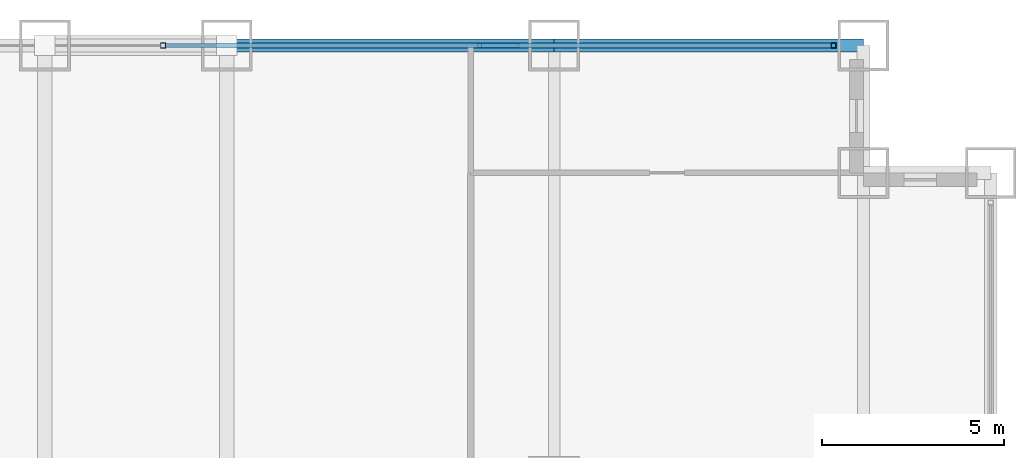
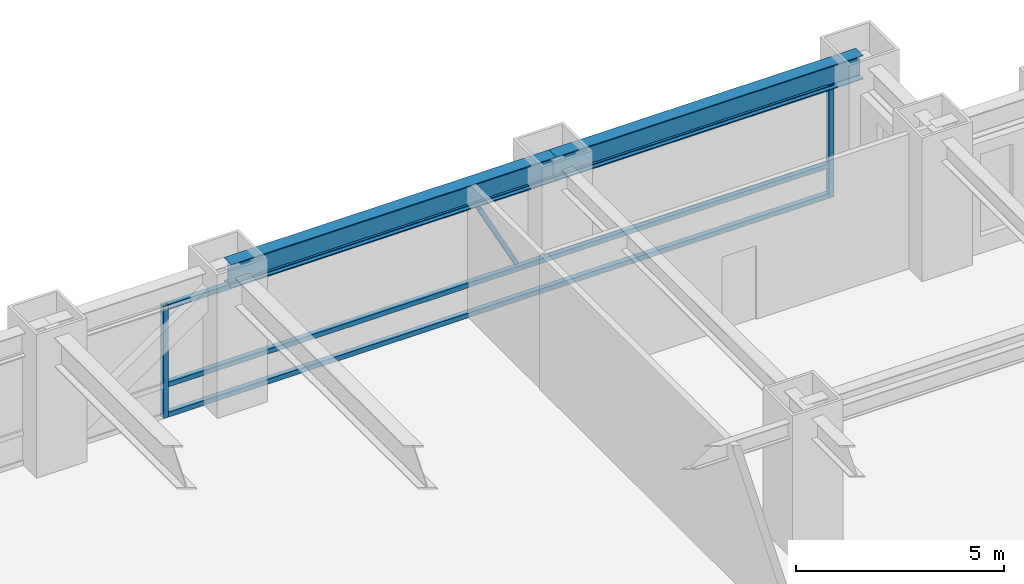
# One storey, part 21 of 28: 6 members, 2 beams, 1 element without a shape of its own.
"""IFC4 building model written with IfcOpenShell, lengths in metres."""

from ifc_helpers import new_model, si_unit, direction, frame, origin, origin_2d, place, context, subcontext, project, spatial, hollow_rectangle, i_section, extrude, source, transform, mapped, material, material_profile, profile_set, type_object, element, aggregate, save


model = new_model("IFC4")

# Units and contexts
model_context = context("Model", 3, precision=1e-05, world=origin(), true_north=direction((0.0, 1.0)))
body_context = subcontext(model_context, "Body", "Model", "MODEL_VIEW")
ifc_project = project(units=[si_unit("LENGTHUNIT", "METRE"), si_unit("AREAUNIT", "SQUARE_METRE"), si_unit("VOLUMEUNIT", "CUBIC_METRE"), si_unit("PLANEANGLEUNIT", "RADIAN"), si_unit("MASSUNIT", "GRAM", prefix="KILO")], contexts=[model_context])

# Site, building, storey
site_placement = place(None, origin())
site = spatial("IfcSite", under=ifc_project, at=site_placement, CompositionType="ELEMENT")
building_placement = place(site_placement, origin())
building = spatial("IfcBuilding", under=site, at=building_placement, Name="Khorayat Bourse Tower", CompositionType="ELEMENT")
storey_placement = place(building_placement, frame((0.0, 0.0, 66.199951171875)))
storey = spatial("IfcBuildingStorey", under=building, at=storey_placement, Name="L14", CompositionType="ELEMENT", Elevation=66.199951171875)

# Beams
ifc_material_1 = material(Name="Steel ASTM A992 Grade 50", Category="steel")
ifc_material_profile_1 = material_profile(ifc_material_1, i_section(OverallWidth=0.35498046875, OverallDepth=0.695068359375, WebThickness=0.015380859375, FlangeThickness=0.02490234375, FilletRadius=0.01806640625, at=origin_2d()), Name="W690X217")
ifc_profile_set_1 = profile_set([ifc_material_profile_1], Name="Steel ASTM A992 Grade 50")
beam_type = type_object("IfcBeamType", Name="BM-SPAN-690", PredefinedType="SPANDREL", material=ifc_profile_set_1)
shared_shape_1 = source(origin(), body_context, "Body", "SweptSolid", [
    extrude(i_section(OverallWidth=0.35498046875, OverallDepth=0.695068359375, WebThickness=0.015380859375, FlangeThickness=0.02490234375, FilletRadius=0.01806640625, at=origin_2d()), origin(), (0.0, 0.0, 1.0), 8.5),
])
beam_1_placement = place(storey_placement, frame((20.0, 32.0, 3.592529296875), z_axis=(1.0, 0.0, 0.0), x_axis=(0.0, 1.0, 0.0)))
element("IfcBeam", 1, at=beam_1_placement, inside=storey, type_object=beam_type, Name="L14 BM-SPAN-690 BM-L14-SPN-044", PredefinedType="SPANDREL", context=body_context, shape_type="MappedRepresentation", body=[
    mapped(shared_shape_1, transform((0.0, 0.0, 0.0), scale=1.0)),
])
shared_shape_2 = source(origin(), body_context, "Body", "SweptSolid", [
    extrude(i_section(OverallWidth=0.35498046875, OverallDepth=0.695068359375, WebThickness=0.015380859375, FlangeThickness=0.02490234375, FilletRadius=0.01806640625, at=origin_2d()), origin(), (0.0, 0.0, 1.0), 9.0),
])
beam_2_placement = place(storey_placement, frame((11.0, 32.0, 3.592529296875), z_axis=(1.0, 0.0, 0.0), x_axis=(0.0, 1.0, 0.0)))
element("IfcBeam", 2, at=beam_2_placement, inside=storey, type_object=beam_type, Name="L14 BM-SPAN-690 BM-L14-SPN-045", PredefinedType="SPANDREL", context=body_context, shape_type="MappedRepresentation", body=[
    mapped(shared_shape_2, transform((0.0, 0.0, 0.0), scale=1.0)),
])

# Curtain wall, members
ifc_material_2 = material(Name="Aluminium EN AW-6063 T6", Category="aluminium")
curtain_wall_type = type_object("IfcCurtainWallType", Name="CW-SYS-02", PredefinedType="NOTDEFINED", material=ifc_material_2)
curtain_wall_placement = place(storey_placement, origin())
curtain_wall = element("IfcCurtainWall", 3, at=curtain_wall_placement, inside=storey, type_object=curtain_wall_type, Name="L14 Curtain Wall CW-L14-N1", PredefinedType="NOTDEFINED")
ifc_material_profile_2 = material_profile(ifc_material_2, hollow_rectangle(XDim=0.139892578125, YDim=0.139892578125, WallThickness=0.006103515625, at=origin_2d()), Name="ALU 140x140x6")
ifc_profile_set_2 = profile_set([ifc_material_profile_2], Name="Aluminium EN AW-6063 T6")
member_type_1 = type_object("IfcMemberType", Name="CWT-HORZ-140", PredefinedType="USERDEFINED", material=ifc_profile_set_2)
shared_shape_3 = source(origin(), body_context, "Body", "SweptSolid", [
    extrude(hollow_rectangle(XDim=0.139892578125, YDim=0.139892578125, WallThickness=0.006103515625, at=origin_2d()), origin(), (0.0, 0.0, 1.0), 18.2900390625),
])
member_1_placement = place(storey_placement, frame((9.320068359375, 32.0, 0.070068359375), z_axis=(1.0, 0.0, 0.0), x_axis=(0.0, 1.0, 0.0)))
member_1 = element("IfcMember", 4, at=member_1_placement, type_object=member_type_1, Name="CW-L14-N1 Horizontal Transom 3-1", ObjectType="TRANSOM", PredefinedType="USERDEFINED", context=body_context, shape_type="MappedRepresentation", body=[
    mapped(shared_shape_3, transform((0.0, 0.0, 0.0), scale=1.0)),
])
member_2_placement = place(storey_placement, frame((9.320068359375, 32.0, 0.949951171875), z_axis=(1.0, 0.0, 0.0), x_axis=(0.0, 1.0, 0.0)))
member_2 = element("IfcMember", 5, at=member_2_placement, type_object=member_type_1, Name="CW-L14-N1 Horizontal Transom 3-2", ObjectType="TRANSOM", PredefinedType="USERDEFINED", context=body_context, shape_type="MappedRepresentation", body=[
    mapped(shared_shape_3, transform((0.0, 0.0, 0.0), scale=1.0)),
])
member_3_placement = place(storey_placement, frame((9.320068359375, 32.0, 3.219970703125), z_axis=(1.0, 0.0, 0.0), x_axis=(0.0, 1.0, 0.0)))
member_3 = element("IfcMember", 6, at=member_3_placement, type_object=member_type_1, Name="CW-L14-N1 Horizontal Transom 3-3", ObjectType="TRANSOM", PredefinedType="USERDEFINED", context=body_context, shape_type="MappedRepresentation", body=[
    mapped(shared_shape_3, transform((0.0, 0.0, 0.0), scale=1.0)),
])
ifc_material_profile_3 = material_profile(ifc_material_2, hollow_rectangle(XDim=0.1201171875, YDim=0.1201171875, WallThickness=0.0048828125, at=origin_2d()), Name="ALU 120x120x5")
ifc_profile_set_3 = profile_set([ifc_material_profile_3], Name="Aluminium EN AW-6063 T6")
member_type_2 = type_object("IfcMemberType", Name="CWM-DIAG-120", PredefinedType="MULLION", material=ifc_profile_set_3)
shared_shape_4 = source(origin(), body_context, "Body", "SweptSolid", [
    extrude(hollow_rectangle(XDim=0.1201171875, YDim=0.1201171875, WallThickness=0.0048828125, at=origin_2d()), origin(), (0.0, 0.0, 1.0), 2.22607421875),
])
member_4_placement = place(storey_placement, frame((18.9833984375, 32.0, 1.10009765625), z_axis=(-0.465759992596, 0.0, 0.884911085532), x_axis=(0.0, -1.0, 0.0)))
member_4 = element("IfcMember", 7, at=member_4_placement, type_object=member_type_2, Name="CW-L14-N1 Faceted Diagonal Mullion 3", PredefinedType="MULLION", context=body_context, shape_type="MappedRepresentation", body=[
    mapped(shared_shape_4, transform((0.0, 0.0, 0.0), scale=1.0)),
])
ifc_material_profile_4 = material_profile(ifc_material_2, hollow_rectangle(XDim=0.139892578125, YDim=0.139892578125, WallThickness=0.006103515625, at=origin_2d()), Name="ALU 140x140x6")
ifc_profile_set_4 = profile_set([ifc_material_profile_4], Name="Aluminium EN AW-6063 T6")
member_type_3 = type_object("IfcMemberType", Name="CWM-VERT-140", PredefinedType="MULLION", material=ifc_profile_set_4)
shared_shape_5 = source(origin(), body_context, "Body", "SweptSolid", [
    extrude(hollow_rectangle(XDim=0.139892578125, YDim=0.139892578125, WallThickness=0.006103515625, at=origin_2d()), origin(), (0.0, 0.0, 1.0), 3.2900390625),
])
member_5_placement = place(storey_placement, frame((9.25, 32.0, 0.0), z_axis=(0.0, 0.0, 1.0), x_axis=(0.0, 1.0, 0.0)))
member_5 = element("IfcMember", 8, at=member_5_placement, type_object=member_type_3, Name="CW-L14-N1 Vertical Mullion 3", PredefinedType="MULLION", context=body_context, shape_type="MappedRepresentation", body=[
    mapped(shared_shape_5, transform((0.0, 0.0, 0.0), scale=1.0)),
])
member_6_placement = place(storey_placement, frame((27.679931640625, 32.0, 0.0), z_axis=(0.0, 0.0, 1.0), x_axis=(0.0, 1.0, 0.0)))
member_6 = element("IfcMember", 9, at=member_6_placement, type_object=member_type_3, Name="CW-L14-N1 Vertical Mullion 4", PredefinedType="MULLION", context=body_context, shape_type="MappedRepresentation", body=[
    mapped(shared_shape_5, transform((0.0, 0.0, 0.0), scale=1.0)),
])
aggregate(curtain_wall, [member_5, member_6, member_1, member_2, member_3, member_4])

save(model, "model.ifc")
